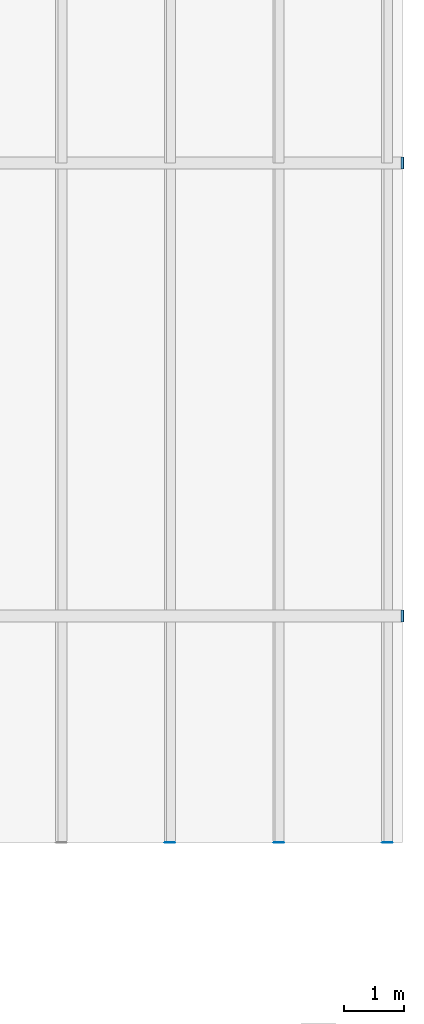
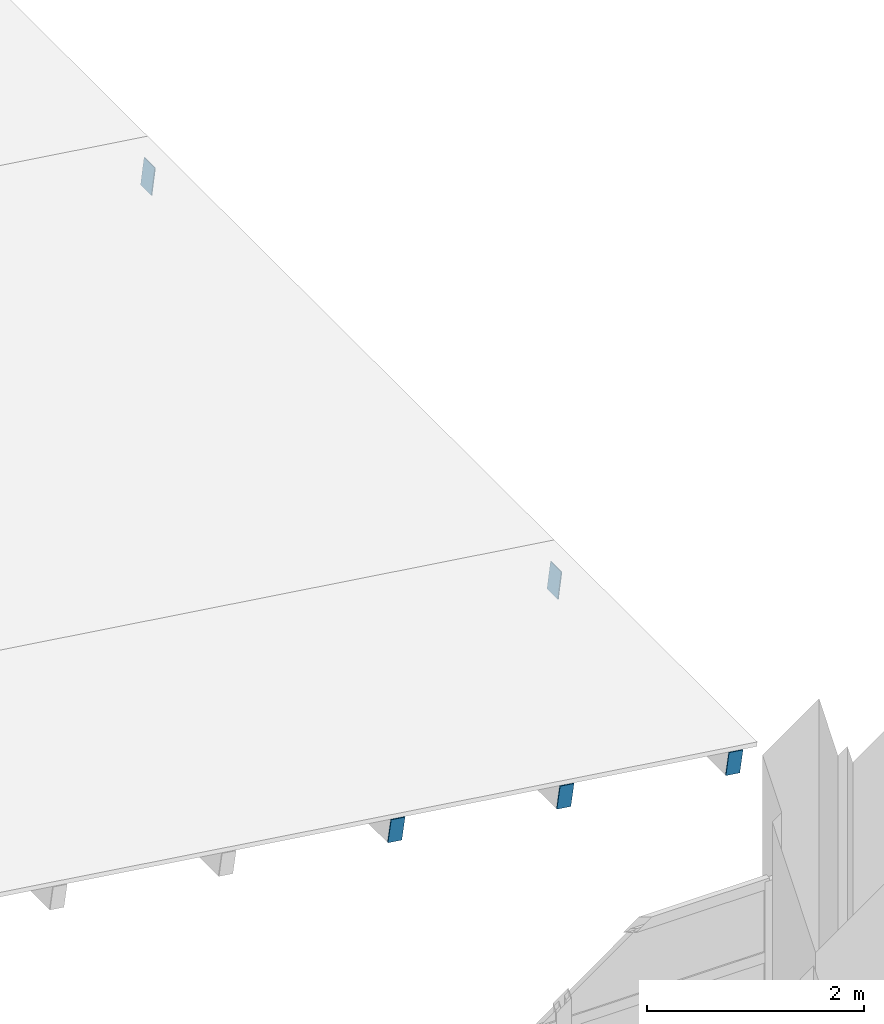
# One storey, part 37 of 52: 5 discrete accessories.
"""IFC4 building model written with IfcOpenShell, lengths in metres."""

from ifc_helpers import new_model, si_unit, direction, frame, origin, origin_2d, place, context, subcontext, project, spatial, rectangle, extrude, material, material_profile, profile_set, type_object, element, save


model = new_model("IFC4")

# Units and contexts
model_context = context("Model", 3, precision=1e-05, world=origin(), true_north=direction((0.0, 1.0)))
body_context = subcontext(model_context, "Body", "Model", "MODEL_VIEW")
ifc_project = project(units=[si_unit("LENGTHUNIT", "METRE"), si_unit("AREAUNIT", "SQUARE_METRE"), si_unit("VOLUMEUNIT", "CUBIC_METRE"), si_unit("PLANEANGLEUNIT", "RADIAN"), si_unit("MASSUNIT", "GRAM", prefix="KILO")], contexts=[model_context])

# Site, building, storey
site_placement = place(None, origin())
site = spatial("IfcSite", under=ifc_project, at=site_placement, CompositionType="ELEMENT")
building_placement = place(site_placement, origin())
building = spatial("IfcBuilding", under=site, at=building_placement, Name="Cour d'Honneur Mobility Palace", CompositionType="ELEMENT")
storey_placement = place(building_placement, frame((0.0, 0.0, 23.0)))
storey = spatial("IfcBuildingStorey", under=building, at=storey_placement, Name="L06", CompositionType="ELEMENT", Elevation=23.0)

# Discrete accessories
ifc_material_1 = material(Name="Steel S355", Category="steel")
ifc_material_profile_1 = material_profile(ifc_material_1, rectangle(XDim=0.14990234375, YDim=0.25, at=origin_2d()), Name="PL 250x150x10")
ifc_profile_set_1 = profile_set([ifc_material_profile_1], Name="Steel S355")
discrete_accessory_type_1 = type_object("IfcDiscreteAccessoryType", Name="End cap plate RHS 250x150x10", PredefinedType="USERDEFINED", material=ifc_profile_set_1)
for number, where, z_axis, x_axis, name in (
    (1, (163.425048828125, 66.139892578125, 0.55419921875), (0.0, 1.0, 0.0), (-0.990349673475, 0.0, 0.138591212736), "End cap plate EC-TU-S7.1-1"),
    (2, (161.625, 66.139892578125, 0.80615234375), (0.0, 1.0, 0.0), (-0.990349673475, 0.0, 0.138591212736), "End cap plate EC-TU-S8.1-1"),
    (3, (159.824951171875, 66.139892578125, 1.05810546875), (0.0, 1.0, 0.0), (-0.990349673475, 0.0, 0.138591212736), "End cap plate EC-TU-S9.1-1"),
):
    element("IfcDiscreteAccessory", number, at=place(storey_placement, frame(where, z_axis=z_axis, x_axis=x_axis)), inside=storey, type_object=discrete_accessory_type_1, Name=name, ObjectType="END CAP PLATE", PredefinedType="USERDEFINED", context=body_context, shape_type="SweptSolid", body=[
        extrude(rectangle(XDim=0.14990234375, YDim=0.25, at=origin_2d()), origin(), (0.0, 0.0, 1.0), 0.010009765625),
    ])
ifc_material_2 = material(Name="Steel S355", Category="steel")
ifc_material_profile_2 = material_profile(ifc_material_2, rectangle(XDim=0.199951171875, YDim=0.300048828125, at=origin_2d()), Name="PL 300x200x10")
ifc_profile_set_2 = profile_set([ifc_material_profile_2], Name="Steel S355")
discrete_accessory_type_2 = type_object("IfcDiscreteAccessoryType", Name="End cap plate RHS 300x200x12.5", PredefinedType="USERDEFINED", material=ifc_profile_set_2)
for number, where, z_axis, x_axis, name in (
    (4, (163.675048828125, 69.89990234375, 0.241455078125), (0.992277876714, 0.0, -0.124034734589), (0.0, 1.0, 0.0), "End cap plate EC-TF-S1E-2"),
    (5, (163.675048828125, 77.39990234375, 0.241455078125), (0.992277876714, 0.0, -0.124034734589), (0.0, 1.0, 0.0), "End cap plate EC-TF-S2E-2"),
):
    element("IfcDiscreteAccessory", number, at=place(storey_placement, frame(where, z_axis=z_axis, x_axis=x_axis)), inside=storey, type_object=discrete_accessory_type_2, Name=name, ObjectType="END CAP PLATE", PredefinedType="USERDEFINED", context=body_context, shape_type="SweptSolid", body=[
        extrude(rectangle(XDim=0.199951171875, YDim=0.300048828125, at=origin_2d()), origin(), (0.0, 0.0, 1.0), 0.009765625),
    ])

save(model, "model.ifc")
